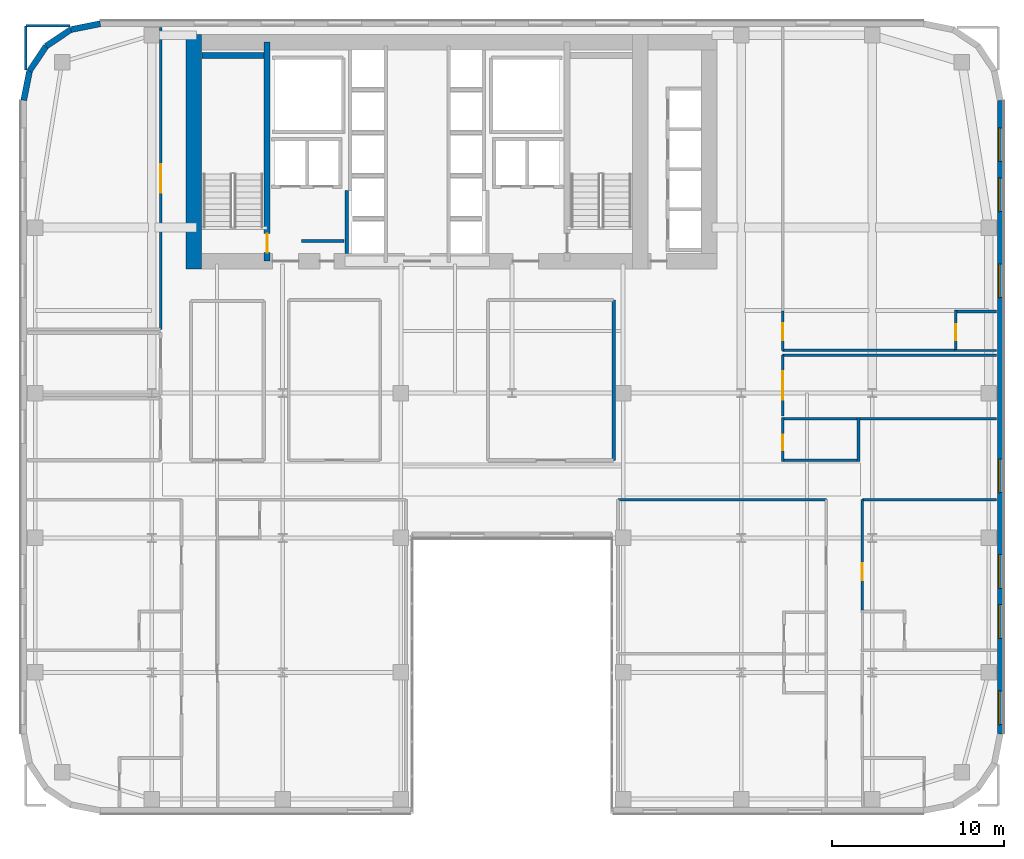
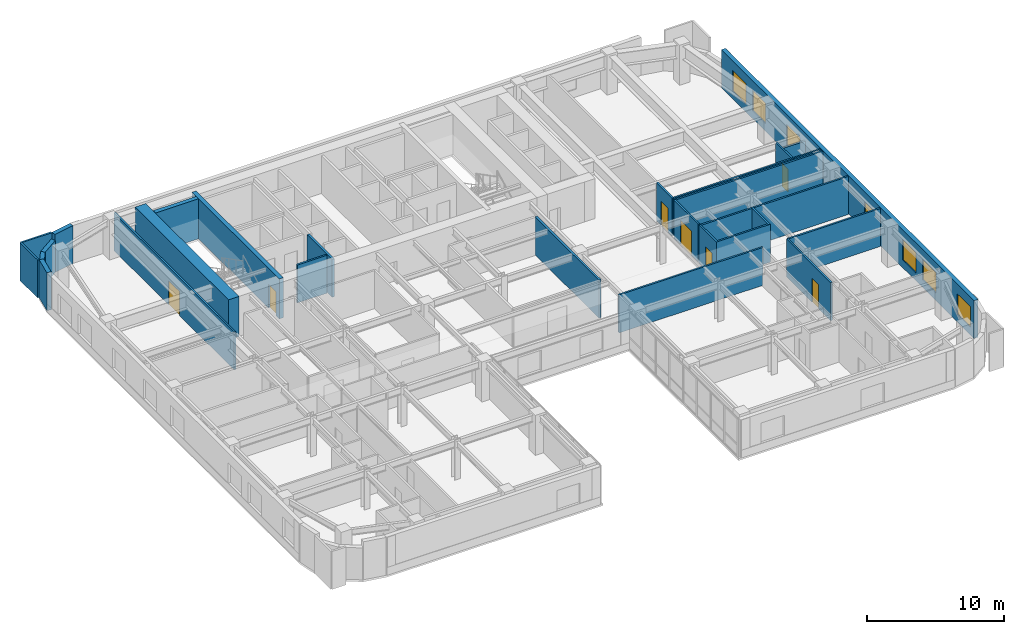
# One storey, part 16 of 24: 28 walls, 7 doors, 7 windows, 14 openings.
"""IFC4 building model written with IfcOpenShell, lengths in metres."""

import ifcopenshell
import ifcopenshell.guid

model = None  # the IFC model being written
_history = None  # IfcOwnerHistory: only IFC2X3 demands one
_inside = {}  # id of a spatial element -> (the spatial element, [elements in it])
_under = {}  # id of a project, library or spatial element -> (it, [spatial elements below it])
_declared = {}  # id of a project -> (the project, [libraries it declares])
_typed = {}  # id of a type object -> (the type object, [elements of that type])
_made_of = {}  # id of a material, layer set ... -> (it, [elements and type objects made of it])


def new_model(schema):
    """Start an empty IFC model of exactly this schema.

    Asked for "IFC4X3", IfcOpenShell would pick the latest addendum, in which some entities
    have other attributes; the version numbers below select the first issue.
    IFC2X3 requires an IfcOwnerHistory on every rooted entity: one is made here for all.
    """
    global model, _history
    if schema == "IFC4X3":
        model = ifcopenshell.file(schema_version=(4, 3, 0, 0))
    else:
        model = ifcopenshell.file(schema=schema)
    _inside.clear()
    _under.clear()
    _declared.clear()
    _typed.clear()
    _made_of.clear()
    _history = None
    if model.schema == "IFC2X3":
        org = make("IfcOrganization", Name="unknown")
        user = make(
            "IfcPersonAndOrganization",
            ThePerson=make("IfcPerson", FamilyName="unknown"),
            TheOrganization=org,
        )
        app = make(
            "IfcApplication",
            ApplicationDeveloper=org,
            Version="unknown",
            ApplicationFullName="unknown",
            ApplicationIdentifier="unknown",
        )
        _history = make(
            "IfcOwnerHistory",
            OwningUser=user,
            OwningApplication=app,
            ChangeAction="ADDED",
            CreationDate=0,
        )
    return model


def make(cls, **values):
    """One entity of the class cls with the attributes given. An attribute that is None is left unset."""
    return model.create_entity(
        cls, **{name: value for name, value in values.items() if value is not None}
    )


def rooted(cls, **values):
    """An entity with a GlobalId (a new one), such as an element, a storey or a relation."""
    return make(cls, GlobalId=ifcopenshell.guid.new(), OwnerHistory=_history, **values)


def si_unit(unit_type, name, prefix=None):
    """IfcSIUnit, for example si_unit("LENGTHUNIT", "METRE", prefix="MILLI")."""
    return make("IfcSIUnit", UnitType=unit_type, Prefix=prefix, Name=name)


def assignment(units):
    """IfcUnitAssignment: the units of a project."""
    return None if units is None else make("IfcUnitAssignment", Units=units)


def point(xyz):
    """IfcCartesianPoint."""
    return None if xyz is None else make("IfcCartesianPoint", Coordinates=xyz)


def direction(xyz):
    """IfcDirection."""
    return None if xyz is None else make("IfcDirection", DirectionRatios=xyz)


def frame(location, z_axis=None, x_axis=None):
    """IfcAxis2Placement3D, a coordinate frame: its origin and axes. An axis left out is left unset."""
    return make(
        "IfcAxis2Placement3D",
        Location=point(location),
        Axis=direction(z_axis),
        RefDirection=direction(x_axis),
    )


def frame_2d(location, x_axis=None):
    """IfcAxis2Placement2D, a coordinate frame in the plane: its origin and x axis."""
    return make(
        "IfcAxis2Placement2D", Location=point(location), RefDirection=direction(x_axis)
    )


def origin():
    """The frame at (0, 0, 0) with its axes left unset."""
    return frame((0.0, 0.0, 0.0))


def place(relative_to, where):
    """IfcLocalPlacement: puts the frame where relative to a parent placement (None: the world)."""
    return make(
        "IfcLocalPlacement", PlacementRelTo=relative_to, RelativePlacement=where
    )


def context(
    kind, dimensions, precision=None, world=None, true_north=None, identifier=None
):
    """IfcGeometricRepresentationContext, for example the 3D "Model" context."""
    return make(
        "IfcGeometricRepresentationContext",
        ContextIdentifier=identifier,
        ContextType=kind,
        CoordinateSpaceDimension=dimensions,
        Precision=precision,
        WorldCoordinateSystem=world,
        TrueNorth=true_north,
    )


def subcontext(parent, identifier, kind, view, scale=None):
    """IfcGeometricRepresentationSubContext, for example "Body" below "Model"."""
    return make(
        "IfcGeometricRepresentationSubContext",
        ContextIdentifier=identifier,
        ContextType=kind,
        ParentContext=parent,
        TargetScale=scale,
        TargetView=view,
    )


def project(units=None, contexts=None):
    """IfcProject with its units and contexts."""
    return rooted(
        "IfcProject",
        Name="project",
        RepresentationContexts=contexts,
        UnitsInContext=assignment(units),
    )


def spatial(cls, under=None, at=None, **own):
    """A site, building, storey or space (cls), placed at a placement, below another one or the project."""
    s = rooted(cls, ObjectPlacement=at, **own)
    if under is not None:
        _under.setdefault(under.id(), (under, []))[1].append(s)
    return s


def profile(cls, at=None, kind="AREA", **sizes):
    """A parametric profile (cls). Its sizes go by their IFC names, for example OverallWidth=200.0."""
    return make(cls, ProfileType=kind, Position=at, **sizes)


def rectangle(**sizes):
    """IfcRectangleProfileDef."""
    return profile("IfcRectangleProfileDef", **sizes)


def extrude(swept, where, along, depth):
    """IfcExtrudedAreaSolid: the profile swept, set in the frame where, extruded along a direction by depth."""
    return make(
        "IfcExtrudedAreaSolid",
        SweptArea=swept,
        Position=where,
        ExtrudedDirection=direction(along),
        Depth=depth,
    )


def shape(context_of_items, identifier, shape_type, items):
    """IfcShapeRepresentation: the items that make up one representation, for example the "Body"."""
    return make(
        "IfcShapeRepresentation",
        ContextOfItems=context_of_items,
        RepresentationIdentifier=identifier,
        RepresentationType=shape_type,
        Items=items,
    )


def source(mapping_origin, context_of_items, identifier, shape_type, items):
    """IfcRepresentationMap: a shape defined once, which mapped items show again and again."""
    return make(
        "IfcRepresentationMap",
        MappingOrigin=mapping_origin,
        MappedRepresentation=shape(context_of_items, identifier, shape_type, items),
    )


def transform(
    local_origin,
    x_axis=None,
    y_axis=None,
    z_axis=None,
    scale=None,
    scale2=None,
    scale3=None,
    uniform=True,
):
    """IfcCartesianTransformationOperator3D, or its non-uniform kind. x_axis, y_axis, z_axis: its Axis1, 2, 3."""
    if uniform:
        return make(
            "IfcCartesianTransformationOperator3D",
            Axis1=direction(x_axis),
            Axis2=direction(y_axis),
            LocalOrigin=point(local_origin),
            Scale=scale,
            Axis3=direction(z_axis),
        )
    return make(
        "IfcCartesianTransformationOperator3DnonUniform",
        Axis1=direction(x_axis),
        Axis2=direction(y_axis),
        LocalOrigin=point(local_origin),
        Scale=scale,
        Axis3=direction(z_axis),
        Scale2=scale2,
        Scale3=scale3,
    )


def mapped(mapping_source, mapping_target):
    """IfcMappedItem: shows the shape of a source again, moved by a transform."""
    return make(
        "IfcMappedItem", MappingSource=mapping_source, MappingTarget=mapping_target
    )


def material(Name=None, Category=None):
    """IfcMaterial."""
    return make("IfcMaterial", Name=Name, Category=Category)


def layer(
    of_material, thickness, ventilated=None, Name=None, Category=None, Priority=None
):
    """IfcMaterialLayer: one layer of a wall or slab, of a material (None: an air gap)."""
    return make(
        "IfcMaterialLayer",
        Material=of_material,
        LayerThickness=thickness,
        IsVentilated=ventilated,
        Name=Name,
        Category=Category,
        Priority=Priority,
    )


def layer_set(layers, Name=None):
    """IfcMaterialLayerSet."""
    return make("IfcMaterialLayerSet", MaterialLayers=layers, LayerSetName=Name)


def made_of(thing, what):
    """Note that an element or type object is made of a material, layer set ...; save() writes the relation."""
    if what is not None:
        _made_of.setdefault(what.id(), (what, []))[1].append(thing)
    return thing


def type_object(cls, material=None, **own):
    """A type object (cls), such as IfcWallType, which elements share."""
    return made_of(rooted(cls, **own), material)


def type_shapes(of_type, sources):
    """Give a type object the sources (RepresentationMaps) that its elements show as mapped items."""
    of_type.RepresentationMaps = sources


def element(
    cls,
    number,
    at=None,
    inside=None,
    cuts=None,
    type_object=None,
    material=None,
    context=None,
    identifier="Body",
    shape_type=None,
    held_by="IfcProductDefinitionShape",
    body=None,
    shapes=None,
    **own,
):
    """One element of the class cls, such as IfcWall. Its Tag is "e" and its number.

    at: its placement. inside: the storey or other place that contains it. cuts: it is an
    opening in that element (IfcRelVoidsElement). A single representation is given by context,
    identifier, shape_type and body (its items); several are given by shapes. held_by: the class
    of the entity that holds the representations. save() writes the other relations.
    """
    e = rooted(cls, Tag="e%d" % number, ObjectPlacement=at, **own)
    if body is not None:
        shapes = [shape(context, identifier, shape_type, body)]
    if shapes is not None:
        e.Representation = make(held_by, Representations=shapes)
    if inside is not None:
        _inside.setdefault(inside.id(), (inside, []))[1].append(e)
    if cuts is not None:
        rooted(
            "IfcRelVoidsElement", RelatingBuildingElement=cuts, RelatedOpeningElement=e
        )
    if type_object is not None:
        _typed.setdefault(type_object.id(), (type_object, []))[1].append(e)
    return made_of(e, material)


def fill(opening, filler):
    """IfcRelFillsElement: the door or window that sits in an opening."""
    return rooted(
        "IfcRelFillsElement",
        RelatingOpeningElement=opening,
        RelatedBuildingElement=filler,
    )


def aggregate(whole, parts):
    """IfcRelAggregates: a whole, such as a stair, and the parts it consists of."""
    return rooted("IfcRelAggregates", RelatingObject=whole, RelatedObjects=parts)


def save(model, path):
    """Write the relations noted so far, then the file.

    IfcRelAggregates (storeys below a building ...), IfcRelContainedInSpatialStructure (elements
    in a storey), IfcRelDefinesByType, IfcRelAssociatesMaterial and IfcRelDeclares: one each for
    every whole, place, type object, material and project.
    """
    for whole, parts in _under.values():
        aggregate(whole, parts)
    for where, things in _inside.values():
        rooted(
            "IfcRelContainedInSpatialStructure",
            RelatedElements=things,
            RelatingStructure=where,
        )
    for kind, things in _typed.values():
        rooted("IfcRelDefinesByType", RelatedObjects=things, RelatingType=kind)
    for what, things in _made_of.values():
        rooted("IfcRelAssociatesMaterial", RelatedObjects=things, RelatingMaterial=what)
    for by, libraries in _declared.values():
        rooted("IfcRelDeclares", RelatingContext=by, RelatedDefinitions=libraries)
    model.write(path)


model = new_model("IFC4")

# Units and contexts
model_context = context("Model", 3, precision=1e-05, world=origin(), true_north=direction((0.0, 1.0)))
body_context = subcontext(model_context, "Body", "Model", "MODEL_VIEW")
ifc_project = project(units=[si_unit("LENGTHUNIT", "METRE"), si_unit("AREAUNIT", "SQUARE_METRE"), si_unit("VOLUMEUNIT", "CUBIC_METRE"), si_unit("PLANEANGLEUNIT", "RADIAN"), si_unit("MASSUNIT", "GRAM", prefix="KILO")], contexts=[model_context])

# Site, building, storey
site_placement = place(None, origin())
site = spatial("IfcSite", under=ifc_project, at=site_placement, CompositionType="ELEMENT")
building_placement = place(site_placement, origin())
building = spatial("IfcBuilding", under=site, at=building_placement, Name="Tolvann Quenvar Hotel", CompositionType="ELEMENT")
storey_placement = place(building_placement, frame((0.0, 0.0, 88.800048828125)))
storey = spatial("IfcBuildingStorey", under=building, at=storey_placement, Name="L22", CompositionType="ELEMENT", Elevation=88.800048828125)

# Wall
ifc_material_1 = material(Name="Concrete S80 (80 MPa)", Category="concrete")
ifc_layer_1 = layer(ifc_material_1, 0.89990234375)
ifc_layer_set_1 = layer_set([ifc_layer_1], Name="Concrete S80 (80 MPa)")
wall_type_1 = type_object("IfcWallType", Name="WALL_CORE_900", PredefinedType="SHEAR", material=ifc_layer_set_1)
wall_1_placement = place(storey_placement, frame((10.050048828125, 31.60009765625, 0.0), z_axis=(0.0, 0.0, 1.0), x_axis=(0.0, 1.0, 0.0)))
element("IfcWall", 1, at=wall_1_placement, inside=storey, type_object=wall_type_1, Name="Rear Core W Shear Wall (L22)", PredefinedType="SHEAR", context=body_context, shape_type="SweptSolid", body=[
    extrude(rectangle(XDim=13.599853515625, YDim=0.89990234375, at=frame_2d((6.7998046875, 0.0))), origin(), (0.0, 0.0, 1.0), 3.550048828125),
])

# Wall, opening, door
ifc_material_2 = material(Name="Concrete S65 (65 MPa)", Category="concrete")
ifc_layer_2 = layer(ifc_material_2, 0.35009765625)
ifc_layer_set_2 = layer_set([ifc_layer_2], Name="Concrete S65 (65 MPa)")
wall_type_2 = type_object("IfcWallType", Name="WALL_CORE_INT_350", PredefinedType="SHEAR", material=ifc_layer_set_2)
wall_2_placement = place(storey_placement, frame((14.300048828125, 32.050048828125, 0.0), z_axis=(0.0, 0.0, 1.0), x_axis=(0.0, 1.0, 0.0)))
wall_2 = element("IfcWall", 2, at=wall_2_placement, inside=storey, type_object=wall_type_2, Name="Core Internal Web Shear Wall WEB-W (L22)", PredefinedType="SHEAR", context=body_context, shape_type="SweptSolid", body=[
    extrude(rectangle(XDim=12.699951171875, YDim=0.35009765625, at=frame_2d((6.35009765625, 0.0))), origin(), (0.0, 0.0, 1.0), 3.550048828125),
])
opening_1_placement = place(wall_2_placement, frame((0.5, 0.0, 0.0)))
opening_1 = element("IfcOpeningElement", 3, at=opening_1_placement, cuts=wall_2, Name="Opening FD-120", PredefinedType="OPENING", context=body_context, shape_type="SweptSolid", body=[
    extrude(rectangle(XDim=1.10009765625, YDim=2.1201171875, at=frame_2d((0.550048828125, 1.06005859375))), frame((0.0, 0.18505859375, 0.0), z_axis=(0.0, -1.0, 0.0), x_axis=(1.0, 0.0, 0.0)), (0.0, 0.0, 1.0), 0.3701171875),
])
ifc_material_3 = material(Name="Pressed galvanised steel fire-rated door set", Category="steel")
door_type_1 = type_object("IfcDoorType", Name="DOOR_FIRE_STAIR_1100", OperationType="NOTDEFINED", PredefinedType="DOOR", material=ifc_material_3)
shared_shape_1 = source(origin(), body_context, "Body", "SweptSolid", [
    extrude(rectangle(XDim=1.10009765625, YDim=2.1201171875, at=frame_2d((0.550048828125, 1.06005859375))), frame((0.0, 0.02490234375, 0.0), z_axis=(0.0, -1.0, 0.0), x_axis=(1.0, 0.0, 0.0)), (0.0, 0.0, 1.0), 0.050048828125),
])
type_shapes(door_type_1, [shared_shape_1])
door_1_placement = place(opening_1_placement, origin())
door_1 = element("IfcDoor", 4, at=door_1_placement, inside=storey, type_object=door_type_1, Name="Exit Stair ST-C1 Fire Door (L22)", OperationType="SINGLE_SWING_RIGHT", OverallHeight=2.1201171875, OverallWidth=1.10009765625, PredefinedType="DOOR", context=body_context, shape_type="MappedRepresentation", body=[
    mapped(shared_shape_1, transform((0.0, 0.0, 0.0), x_axis=(1.0, 0.0, 0.0), y_axis=(0.0, 1.0, 0.0), z_axis=(0.0, 0.0, 1.0), scale=1.0)),
])
fill(opening_1, door_1)

# Wall
wall_3_placement = place(storey_placement, frame((10.52001953125, 43.97509765625, 0.0), z_axis=(0.0, 0.0, 1.0), x_axis=(1.0, 0.0, 0.0)))
element("IfcWall", 5, at=wall_3_placement, inside=storey, type_object=wall_type_2, Name="Core Stair North Closing Shear Wall STC1-N (L22)", PredefinedType="SHEAR", context=body_context, shape_type="SweptSolid", body=[
    extrude(rectangle(XDim=3.60009765625, YDim=0.35009765625, at=frame_2d((1.800048828125, 0.0))), origin(), (0.0, 0.0, 1.0), 3.550048828125),
])

# Wall, openings, windows
ifc_material_4 = material(Name="Kiln-fired red and buff architectural clay brickwork and terracotta masonry", Category="masonry")
ifc_layer_3 = layer(ifc_material_4, 0.35009765625)
ifc_layer_set_3 = layer_set([ifc_layer_3], Name="Kiln-fired red and buff architectural clay brickwork and terracotta masonry")
wall_type_3 = type_object("IfcWallType", Name="WALL_EXT_BRICK_350", PredefinedType="SOLIDWALL", material=ifc_layer_set_3)
wall_4_placement = place(storey_placement, frame((56.824951171875, 4.6171875, 0.0), z_axis=(0.0, 0.0, 1.0), x_axis=(0.0, 1.0, 0.0)))
wall_4 = element("IfcWall", 6, at=wall_4_placement, inside=storey, type_object=wall_type_3, Name="Exterior Chicago Brick Wall L22-E13", PredefinedType="SOLIDWALL", context=body_context, shape_type="SweptSolid", body=[
    extrude(rectangle(XDim=36.765625, YDim=0.35009765625, at=frame_2d((18.3828125, 0.0))), origin(), (0.0, 0.0, 1.0), 3.369873046875),
])
opening_2_placement = place(wall_4_placement, frame((0.551025390625, 0.0, 0.679931640625)))
opening_2 = element("IfcOpeningElement", 7, at=opening_2_placement, cuts=wall_4, Name="Opening W-10", PredefinedType="OPENING", context=body_context, shape_type="SweptSolid", body=[
    extrude(rectangle(XDim=1.949951171875, YDim=1.820068359375, at=frame_2d((0.97509765625, 0.91015625))), frame((0.0, 0.18505859375, 0.0), z_axis=(0.0, -1.0, 0.0), x_axis=(1.0, 0.0, 0.0)), (0.0, 0.0, 1.0), 0.3701171875),
])
opening_3_placement = place(wall_4_placement, frame((5.552978515625, 0.0, 0.679931640625)))
opening_3 = element("IfcOpeningElement", 8, at=opening_3_placement, cuts=wall_4, Name="Opening W-10", PredefinedType="OPENING", context=body_context, shape_type="SweptSolid", body=[
    extrude(rectangle(XDim=1.949951171875, YDim=1.820068359375, at=frame_2d((0.97509765625, 0.91015625))), frame((0.0, 0.18505859375, 0.0), z_axis=(0.0, -1.0, 0.0), x_axis=(1.0, 0.0, 0.0)), (0.0, 0.0, 1.0), 0.3701171875),
])
opening_4_placement = place(wall_4_placement, frame((8.4541015625, 0.0, 0.679931640625)))
opening_4 = element("IfcOpeningElement", 9, at=opening_4_placement, cuts=wall_4, Name="Opening W-10", PredefinedType="OPENING", context=body_context, shape_type="SweptSolid", body=[
    extrude(rectangle(XDim=1.949951171875, YDim=1.820068359375, at=frame_2d((0.97509765625, 0.91015625))), frame((0.0, 0.18505859375, 0.0), z_axis=(0.0, -1.0, 0.0), x_axis=(1.0, 0.0, 0.0)), (0.0, 0.0, 1.0), 0.3701171875),
])
opening_5_placement = place(wall_4_placement, frame((14.006103515625, 0.0, 0.679931640625)))
opening_5 = element("IfcOpeningElement", 10, at=opening_5_placement, cuts=wall_4, Name="Opening W-10", PredefinedType="OPENING", context=body_context, shape_type="SweptSolid", body=[
    extrude(rectangle(XDim=1.949951171875, YDim=1.820068359375, at=frame_2d((0.97509765625, 0.91015625))), frame((0.0, 0.18505859375, 0.0), z_axis=(0.0, -1.0, 0.0), x_axis=(1.0, 0.0, 0.0)), (0.0, 0.0, 1.0), 0.3701171875),
])
opening_6_placement = place(wall_4_placement, frame((25.31103515625, 0.0, 0.679931640625)))
opening_6 = element("IfcOpeningElement", 11, at=opening_6_placement, cuts=wall_4, Name="Opening W-10", PredefinedType="OPENING", context=body_context, shape_type="SweptSolid", body=[
    extrude(rectangle(XDim=1.949951171875, YDim=1.820068359375, at=frame_2d((0.97509765625, 0.91015625))), frame((0.0, 0.18505859375, 0.0), z_axis=(0.0, -1.0, 0.0), x_axis=(1.0, 0.0, 0.0)), (0.0, 0.0, 1.0), 0.3701171875),
])
opening_7_placement = place(wall_4_placement, frame((30.31298828125, 0.0, 0.679931640625)))
opening_7 = element("IfcOpeningElement", 12, at=opening_7_placement, cuts=wall_4, Name="Opening W-10", PredefinedType="OPENING", context=body_context, shape_type="SweptSolid", body=[
    extrude(rectangle(XDim=1.949951171875, YDim=1.820068359375, at=frame_2d((0.97509765625, 0.91015625))), frame((0.0, 0.18505859375, 0.0), z_axis=(0.0, -1.0, 0.0), x_axis=(1.0, 0.0, 0.0)), (0.0, 0.0, 1.0), 0.3701171875),
])
opening_8_placement = place(wall_4_placement, frame((33.215087890625, 0.0, 0.679931640625)))
opening_8 = element("IfcOpeningElement", 13, at=opening_8_placement, cuts=wall_4, Name="Opening W-10", PredefinedType="OPENING", context=body_context, shape_type="SweptSolid", body=[
    extrude(rectangle(XDim=1.949951171875, YDim=1.820068359375, at=frame_2d((0.97509765625, 0.91015625))), frame((0.0, 0.18505859375, 0.0), z_axis=(0.0, -1.0, 0.0), x_axis=(1.0, 0.0, 0.0)), (0.0, 0.0, 1.0), 0.3701171875),
])
ifc_material_5 = material(Name="Thermally broken bronze-anodised aluminium frame with double low-E glazing", Category="aluminium")
window_type = type_object("IfcWindowType", Name="WIN_CLB_1950x1850", PartitioningType="DOUBLE_PANEL_VERTICAL", PredefinedType="WINDOW", material=ifc_material_5)
shared_shape_2 = source(origin(), body_context, "Body", "SweptSolid", [
    extrude(rectangle(XDim=1.949951171875, YDim=1.820068359375, at=frame_2d((0.97509765625, 0.91015625))), frame((0.0, 0.090087890625, 0.0), z_axis=(0.0, -1.0, 0.0), x_axis=(1.0, 0.0, 0.0)), (0.0, 0.0, 1.0), 0.06005859375),
])
type_shapes(window_type, [shared_shape_2])
window_1_placement = place(opening_2_placement, origin())
window_1 = element("IfcWindow", 14, at=window_1_placement, inside=storey, type_object=window_type, Name="Chicago Window W-10 (EW-L22-E13-W01)", OverallHeight=1.820068359375, OverallWidth=1.949951171875, PartitioningType="DOUBLE_PANEL_VERTICAL", PredefinedType="WINDOW", context=body_context, shape_type="MappedRepresentation", body=[
    mapped(shared_shape_2, transform((0.0, 0.0, 0.0), x_axis=(1.0, 0.0, 0.0), y_axis=(0.0, 1.0, 0.0), z_axis=(0.0, 0.0, 1.0), scale=1.0)),
])
fill(opening_2, window_1)
window_2_placement = place(opening_3_placement, origin())
window_2 = element("IfcWindow", 15, at=window_2_placement, inside=storey, type_object=window_type, Name="Chicago Window W-10 (EW-L22-E13-W02)", OverallHeight=1.820068359375, OverallWidth=1.949951171875, PartitioningType="DOUBLE_PANEL_VERTICAL", PredefinedType="WINDOW", context=body_context, shape_type="MappedRepresentation", body=[
    mapped(shared_shape_2, transform((0.0, 0.0, 0.0), x_axis=(1.0, 0.0, 0.0), y_axis=(0.0, 1.0, 0.0), z_axis=(0.0, 0.0, 1.0), scale=1.0)),
])
fill(opening_3, window_2)
window_3_placement = place(opening_4_placement, origin())
window_3 = element("IfcWindow", 16, at=window_3_placement, inside=storey, type_object=window_type, Name="Chicago Window W-10 (EW-L22-E13-W03)", OverallHeight=1.820068359375, OverallWidth=1.949951171875, PartitioningType="DOUBLE_PANEL_VERTICAL", PredefinedType="WINDOW", context=body_context, shape_type="MappedRepresentation", body=[
    mapped(shared_shape_2, transform((0.0, 0.0, 0.0), x_axis=(1.0, 0.0, 0.0), y_axis=(0.0, 1.0, 0.0), z_axis=(0.0, 0.0, 1.0), scale=1.0)),
])
fill(opening_4, window_3)
window_4_placement = place(opening_5_placement, origin())
window_4 = element("IfcWindow", 17, at=window_4_placement, inside=storey, type_object=window_type, Name="Chicago Window W-10 (EW-L22-E13-W04)", OverallHeight=1.820068359375, OverallWidth=1.949951171875, PartitioningType="DOUBLE_PANEL_VERTICAL", PredefinedType="WINDOW", context=body_context, shape_type="MappedRepresentation", body=[
    mapped(shared_shape_2, transform((0.0, 0.0, 0.0), x_axis=(1.0, 0.0, 0.0), y_axis=(0.0, 1.0, 0.0), z_axis=(0.0, 0.0, 1.0), scale=1.0)),
])
fill(opening_5, window_4)
window_5_placement = place(opening_6_placement, origin())
window_5 = element("IfcWindow", 18, at=window_5_placement, inside=storey, type_object=window_type, Name="Chicago Window W-10 (EW-L22-E13-W05)", OverallHeight=1.820068359375, OverallWidth=1.949951171875, PartitioningType="DOUBLE_PANEL_VERTICAL", PredefinedType="WINDOW", context=body_context, shape_type="MappedRepresentation", body=[
    mapped(shared_shape_2, transform((0.0, 0.0, 0.0), x_axis=(1.0, 0.0, 0.0), y_axis=(0.0, 1.0, 0.0), z_axis=(0.0, 0.0, 1.0), scale=1.0)),
])
fill(opening_6, window_5)
window_6_placement = place(opening_7_placement, origin())
window_6 = element("IfcWindow", 19, at=window_6_placement, inside=storey, type_object=window_type, Name="Chicago Window W-10 (EW-L22-E13-W06)", OverallHeight=1.820068359375, OverallWidth=1.949951171875, PartitioningType="DOUBLE_PANEL_VERTICAL", PredefinedType="WINDOW", context=body_context, shape_type="MappedRepresentation", body=[
    mapped(shared_shape_2, transform((0.0, 0.0, 0.0), x_axis=(1.0, 0.0, 0.0), y_axis=(0.0, 1.0, 0.0), z_axis=(0.0, 0.0, 1.0), scale=1.0)),
])
fill(opening_7, window_6)
window_7_placement = place(opening_8_placement, origin())
window_7 = element("IfcWindow", 20, at=window_7_placement, inside=storey, type_object=window_type, Name="Chicago Window W-10 (EW-L22-E13-W07)", OverallHeight=1.820068359375, OverallWidth=1.949951171875, PartitioningType="DOUBLE_PANEL_VERTICAL", PredefinedType="WINDOW", context=body_context, shape_type="MappedRepresentation", body=[
    mapped(shared_shape_2, transform((0.0, 0.0, 0.0), x_axis=(1.0, 0.0, 0.0), y_axis=(0.0, 1.0, 0.0), z_axis=(0.0, 0.0, 1.0), scale=1.0)),
])
fill(opening_8, window_7)

# Walls
wall_5_placement = place(storey_placement, frame((4.6171875, 45.824951171875, 0.0), z_axis=(0.0, 0.0, 1.0), x_axis=(-0.980800971659, -0.195011420161, 0.0)))
element("IfcWall", 21, at=wall_5_placement, inside=storey, type_object=wall_type_3, Name="Exterior Chicago Brick Wall L22-E19", PredefinedType="SOLIDWALL", context=body_context, shape_type="SweptSolid", body=[
    extrude(rectangle(XDim=1.74267578125, YDim=0.35009765625, at=frame_2d((0.871337890625, 0.0))), origin(), (0.0, 0.0, 1.0), 3.369873046875),
])
for number, where, z_axis, x_axis, name in (
    (22, (2.907958984375, 45.485107421875, 0.0), (0.0, 0.0, 1.0), (-0.831483840845, -0.55554893791, 0.0), "Exterior Chicago Brick Wall L22-E20"),
    (23, (1.473388671875, 44.526611328125, 0.0), (0.0, 0.0, 1.0), (-0.55554893791, -0.831483840845, 0.0), "Exterior Chicago Brick Wall L22-E21"),
):
    element("IfcWall", number, at=place(storey_placement, frame(where, z_axis=z_axis, x_axis=x_axis)), inside=storey, type_object=wall_type_3, Name=name, PredefinedType="SOLIDWALL", context=body_context, shape_type="SweptSolid", body=[
        extrude(rectangle(XDim=1.725341796875, YDim=0.35009765625, at=frame_2d((0.86279296875, 0.0))), origin(), (0.0, 0.0, 1.0), 2.83203125),
    ])
wall_6_placement = place(storey_placement, frame((0.514892578125, 43.092041015625, 0.0), z_axis=(0.0, 0.0, 1.0), x_axis=(-0.195011420161, -0.980800971659, 0.0)))
element("IfcWall", 24, at=wall_6_placement, inside=storey, type_object=wall_type_3, Name="Exterior Chicago Brick Wall L22-E22", PredefinedType="SOLIDWALL", context=body_context, shape_type="SweptSolid", body=[
    extrude(rectangle(XDim=1.74267578125, YDim=0.35009765625, at=frame_2d((0.871337890625, 0.0))), origin(), (0.0, 0.0, 1.0), 3.369873046875),
])
ifc_material_6 = material(Name="Acoustic twin-stud fire-rated gypsum plasterboard partition")
ifc_layer_4 = layer(ifc_material_6, 0.179931640625)
ifc_layer_set_4 = layer_set([ifc_layer_4], Name="Acoustic twin-stud fire-rated gypsum plasterboard partition")
wall_type_4 = type_object("IfcWallType", Name="WALL_PART_ACOUSTIC_180", PredefinedType="PARTITIONING", material=ifc_layer_set_4)
wall_7_placement = place(storey_placement, frame((34.39990234375, 20.5, 0.0), z_axis=(0.0, 0.0, 1.0), x_axis=(0.0, 1.0, 0.0)))
element("IfcWall", 25, at=wall_7_placement, inside=storey, type_object=wall_type_4, Name="Interior Partition PT-SPC-L22-MSP-C-E", PredefinedType="PARTITIONING", context=body_context, shape_type="SweptSolid", body=[
    extrude(rectangle(XDim=9.300048828125, YDim=0.179931640625, at=frame_2d((4.64990234375, 0.0))), origin(), (0.0, 0.0, 1.0), 3.369873046875),
])
ifc_material_7 = material(Name="Moisture-resistant acoustic plumbing wall assembly")
ifc_layer_5 = layer(ifc_material_7, 0.1201171875)
ifc_layer_set_5 = layer_set([ifc_layer_5], Name="Moisture-resistant acoustic plumbing wall assembly")
wall_type_5 = type_object("IfcWallType", Name="WALL_PART_BATH_120", PredefinedType="PLUMBINGWALL", material=ifc_layer_set_5)
wall_8_placement = place(storey_placement, frame((54.179931640625, 26.8798828125, 0.0), z_axis=(0.0, 0.0, 1.0), x_axis=(1.0, 0.0, 0.0)))
element("IfcWall", 26, at=wall_8_placement, inside=storey, type_object=wall_type_5, Name="Non-Rated Plumbing Partition PT-SPC-L22-ENS-NE01-S", PredefinedType="PLUMBINGWALL", context=body_context, shape_type="SweptSolid", body=[
    extrude(rectangle(XDim=2.4150390625, YDim=0.1201171875, at=frame_2d((1.20751953125, 0.0))), origin(), (0.0, 0.0, 1.0), 3.369873046875),
])

# Wall, opening, door
ifc_layer_6 = layer(ifc_material_6, 0.14990234375)
ifc_layer_set_6 = layer_set([ifc_layer_6], Name="Acoustic twin-stud fire-rated gypsum plasterboard partition")
wall_type_6 = type_object("IfcWallType", Name="WALL_PART_SUITE_150", PredefinedType="PARTITIONING", material=ifc_layer_set_6)
wall_9_placement = place(storey_placement, frame((54.25, 26.81005859375, 0.0), z_axis=(0.0, 0.0, 1.0), x_axis=(0.0, 1.0, 0.0)))
wall_9 = element("IfcWall", 27, at=wall_9_placement, inside=storey, type_object=wall_type_6, Name="Interior Partition PT-SPC-L22-ENS-NE01-ENT", PredefinedType="PARTITIONING", context=body_context, shape_type="SweptSolid", body=[
    extrude(rectangle(XDim=2.389892578125, YDim=0.14990234375, at=frame_2d((1.19482421875, 0.0))), origin(), (0.0, 0.0, 1.0), 3.369873046875),
])
opening_9_placement = place(wall_9_placement, frame((0.6650390625, 0.0, 0.0)))
opening_9 = element("IfcOpeningElement", 28, at=opening_9_placement, cuts=wall_9, Name="Opening WD-01", PredefinedType="OPENING", context=body_context, shape_type="SweptSolid", body=[
    extrude(rectangle(XDim=0.919921875, YDim=2.010009765625, at=frame_2d((0.4599609375, 1.0048828125))), frame((0.0, 0.0849609375, 0.0), z_axis=(0.0, -1.0, 0.0), x_axis=(1.0, 0.0, 0.0)), (0.0, 0.0, 1.0), 0.169921875),
])
ifc_material_8 = material(Name="Solid-core American oak acoustic fire door leaf in steel frame", Category="steel")
door_type_2 = type_object("IfcDoorType", Name="DOOR_WC_920", OperationType="NOTDEFINED", PredefinedType="DOOR", material=ifc_material_8)
shared_shape_3 = source(origin(), body_context, "Body", "SweptSolid", [
    extrude(rectangle(XDim=0.919921875, YDim=2.010009765625, at=frame_2d((0.4599609375, 1.0048828125))), frame((0.0, 0.02490234375, 0.0), z_axis=(0.0, -1.0, 0.0), x_axis=(1.0, 0.0, 0.0)), (0.0, 0.0, 1.0), 0.050048828125),
])
type_shapes(door_type_2, [shared_shape_3])
door_2_placement = place(opening_9_placement, origin())
door_2 = element("IfcDoor", 29, at=door_2_placement, inside=storey, type_object=door_type_2, Name="Interior Door DOOR-SPC-L22-ENS-NE01", OperationType="SINGLE_SWING_LEFT", OverallHeight=2.010009765625, OverallWidth=0.919921875, PredefinedType="DOOR", context=body_context, shape_type="MappedRepresentation", body=[
    mapped(shared_shape_3, transform((0.0, 0.0, 0.0), x_axis=(1.0, 0.0, 0.0), y_axis=(0.0, 1.0, 0.0), z_axis=(0.0, 0.0, 1.0), scale=1.0)),
])
fill(opening_9, door_2)

# Walls
wall_10_placement = place(storey_placement, frame((54.179931640625, 29.1298828125, 0.0), z_axis=(0.0, 0.0, 1.0), x_axis=(1.0, 0.0, 0.0)))
element("IfcWall", 30, at=wall_10_placement, inside=storey, type_object=wall_type_6, Name="Interior Partition PT-SPC-L22-ENS-NE01-N", PredefinedType="PARTITIONING", context=body_context, shape_type="SweptSolid", body=[
    extrude(rectangle(XDim=2.4150390625, YDim=0.14990234375, at=frame_2d((1.20751953125, 0.0))), origin(), (0.0, 0.0, 1.0), 2.748046875),
])
wall_11_placement = place(storey_placement, frame((16.280029296875, 33.219970703125, 0.0), z_axis=(0.0, 0.0, 1.0), x_axis=(1.0, 0.0, 0.0)))
element("IfcWall", 31, at=wall_11_placement, inside=storey, type_object=wall_type_6, Name="Interior Partition PT-SPC-L22-CSW-1-N", PredefinedType="PARTITIONING", context=body_context, shape_type="SweptSolid", body=[
    extrude(rectangle(XDim=2.48486328125, YDim=0.14990234375, at=frame_2d((1.242431640625, 0.0))), origin(), (0.0, 0.0, 1.0), 3.369873046875),
])
wall_12_placement = place(storey_placement, frame((34.64990234375, 18.219970703125, 0.0), z_axis=(0.0, 0.0, 1.0), x_axis=(1.0, 0.0, 0.0)))
element("IfcWall", 32, at=wall_12_placement, inside=storey, type_object=wall_type_6, Name="Interior Partition PT-SPC-L22-RM-EI02-E5", PredefinedType="PARTITIONING", context=body_context, shape_type="SweptSolid", body=[
    extrude(rectangle(XDim=12.080078125, YDim=0.14990234375, at=frame_2d((6.0400390625, 0.0))), origin(), (0.0, 0.0, 1.0), 3.369873046875),
])

# Wall, opening, door
wall_13_placement = place(storey_placement, frame((48.820068359375, 11.81005859375, 0.0), z_axis=(0.0, 0.0, 1.0), x_axis=(0.0, 1.0, 0.0)))
wall_13 = element("IfcWall", 33, at=wall_13_placement, inside=storey, type_object=wall_type_6, Name="Interior Partition PT-SPC-L22-RM-EO02-ENT", PredefinedType="PARTITIONING", context=body_context, shape_type="SweptSolid", body=[
    extrude(rectangle(XDim=6.409912109375, YDim=0.14990234375, at=frame_2d((3.205078125, 0.0))), origin(), (0.0, 0.0, 1.0), 3.369873046875),
])
opening_10_placement = place(wall_13_placement, frame((1.7451171875, 0.0, 0.0)))
opening_10 = element("IfcOpeningElement", 34, at=opening_10_placement, cuts=wall_13, Name="Opening SD-01", PredefinedType="OPENING", context=body_context, shape_type="SweptSolid", body=[
    extrude(rectangle(XDim=0.97998046875, YDim=2.1201171875, at=frame_2d((0.489990234375, 1.06005859375))), frame((0.0, 0.0849609375, 0.0), z_axis=(0.0, -1.0, 0.0), x_axis=(1.0, 0.0, 0.0)), (0.0, 0.0, 1.0), 0.169921875),
])
door_type_3 = type_object("IfcDoorType", Name="DOOR_SUITE_980", OperationType="NOTDEFINED", PredefinedType="DOOR", material=ifc_material_8)
shared_shape_4 = source(origin(), body_context, "Body", "SweptSolid", [
    extrude(rectangle(XDim=0.97998046875, YDim=2.1201171875, at=frame_2d((0.489990234375, 1.06005859375))), frame((0.0, 0.02490234375, 0.0), z_axis=(0.0, -1.0, 0.0), x_axis=(1.0, 0.0, 0.0)), (0.0, 0.0, 1.0), 0.050048828125),
])
type_shapes(door_type_3, [shared_shape_4])
door_3_placement = place(opening_10_placement, origin())
door_3 = element("IfcDoor", 35, at=door_3_placement, inside=storey, type_object=door_type_3, Name="Interior Door DOOR-SPC-L22-RM-EO02", OperationType="SINGLE_SWING_RIGHT", OverallHeight=2.1201171875, OverallWidth=0.97998046875, PredefinedType="DOOR", context=body_context, shape_type="MappedRepresentation", body=[
    mapped(shared_shape_4, transform((0.0, 0.0, 0.0), x_axis=(1.0, 0.0, 0.0), y_axis=(0.0, 1.0, 0.0), z_axis=(0.0, 0.0, 1.0), scale=1.0)),
])
fill(opening_10, door_3)

# Walls
wall_14_placement = place(storey_placement, frame((48.820068359375, 18.219970703125, 0.0), z_axis=(0.0, 0.0, 1.0), x_axis=(1.0, 0.0, 0.0)))
element("IfcWall", 36, at=wall_14_placement, inside=storey, type_object=wall_type_6, Name="Interior Partition PT-SPC-L22-RM-EO02-E5", PredefinedType="PARTITIONING", context=body_context, shape_type="SweptSolid", body=[
    extrude(rectangle(XDim=7.77490234375, YDim=0.14990234375, at=frame_2d((3.887451171875, 0.0))), origin(), (0.0, 0.0, 1.0), 3.369873046875),
])
for number, where, z_axis, x_axis, name in (
    (37, (0.300048828125, 45.699951171875, 0.0), (0.0, 0.0, 1.0), (1.0, 0.0, 0.0), "Interior Partition PT-SPC-L22-TEA-N"),
    (38, (0.300048828125, 43.135009765625, 0.0), (0.0, 0.0, 1.0), (0.0, 1.0, 0.0), "Interior Partition PT-SPC-L22-TEA-W"),
):
    element("IfcWall", number, at=place(storey_placement, frame(where, z_axis=z_axis, x_axis=x_axis)), inside=storey, type_object=wall_type_6, Name=name, PredefinedType="PARTITIONING", context=body_context, shape_type="SweptSolid", body=[
        extrude(rectangle(XDim=2.56494140625, YDim=0.14990234375, at=frame_2d((1.282470703125, 0.0))), origin(), (0.0, 0.0, 1.0), 3.369873046875),
    ])

# Wall, opening, door
wall_15_placement = place(storey_placement, frame((8.1201171875, 28.10009765625, 0.0), z_axis=(0.0, 0.0, 1.0), x_axis=(0.0, 1.0, 0.0)))
wall_15 = element("IfcWall", 39, at=wall_15_placement, inside=storey, type_object=wall_type_6, Name="Interior Partition PT-SPC-L22-TEA-E", PredefinedType="PARTITIONING", context=body_context, shape_type="SweptSolid", body=[
    extrude(rectangle(XDim=17.494873046875, YDim=0.14990234375, at=frame_2d((8.74755859375, 0.0))), origin(), (0.0, 0.0, 1.0), 3.369873046875),
])
opening_11_placement = place(wall_15_placement, frame((7.922607421875, 0.0, 0.0)))
opening_11 = element("IfcOpeningElement", 40, at=opening_11_placement, cuts=wall_15, Name="Opening AD-01", PredefinedType="OPENING", context=body_context, shape_type="SweptSolid", body=[
    extrude(rectangle(XDim=1.64990234375, YDim=2.14990234375, at=frame_2d((0.824951171875, 1.074951171875))), frame((0.0, 0.0849609375, 0.0), z_axis=(0.0, -1.0, 0.0), x_axis=(1.0, 0.0, 0.0)), (0.0, 0.0, 1.0), 0.169921875),
])
door_type_4 = type_object("IfcDoorType", Name="DOOR_SALON_1650", OperationType="NOTDEFINED", PredefinedType="DOOR", material=ifc_material_8)
shared_shape_5 = source(origin(), body_context, "Body", "SweptSolid", [
    extrude(rectangle(XDim=1.64990234375, YDim=2.14990234375, at=frame_2d((0.824951171875, 1.074951171875))), frame((0.0, 0.02490234375, 0.0), z_axis=(0.0, -1.0, 0.0), x_axis=(1.0, 0.0, 0.0)), (0.0, 0.0, 1.0), 0.050048828125),
])
type_shapes(door_type_4, [shared_shape_5])
door_4_placement = place(opening_11_placement, origin())
door_4 = element("IfcDoor", 41, at=door_4_placement, inside=storey, type_object=door_type_4, Name="Interior Door DOOR-SPC-L22-TEA", OperationType="DOUBLE_DOOR_SINGLE_SWING", OverallHeight=2.14990234375, OverallWidth=1.64990234375, PredefinedType="DOOR", context=body_context, shape_type="MappedRepresentation", body=[
    mapped(shared_shape_5, transform((0.0, 0.0, 0.0), x_axis=(1.0, 0.0, 0.0), y_axis=(0.0, 1.0, 0.0), z_axis=(0.0, 0.0, 1.0), scale=1.0)),
])
fill(opening_11, door_4)

wall_16_placement = place(storey_placement, frame((44.199951171875, 20.429931640625, 0.0), z_axis=(0.0, 0.0, 1.0), x_axis=(0.0, 1.0, 0.0)))
wall_16 = element("IfcWall", 42, at=wall_16_placement, inside=storey, type_object=wall_type_6, Name="Interior Partition PT-SPC-L22-WCA-ENT", PredefinedType="PARTITIONING", context=body_context, shape_type="SweptSolid", body=[
    extrude(rectangle(XDim=2.5400390625, YDim=0.14990234375, at=frame_2d((1.27001953125, 0.0))), origin(), (0.0, 0.0, 1.0), 3.369873046875),
])
opening_12_placement = place(wall_16_placement, frame((0.639892578125, 0.0, 0.0)))
opening_12 = element("IfcOpeningElement", 43, at=opening_12_placement, cuts=wall_16, Name="Opening WD-01", PredefinedType="OPENING", context=body_context, shape_type="SweptSolid", body=[
    extrude(rectangle(XDim=0.919921875, YDim=2.010009765625, at=frame_2d((0.4599609375, 1.0048828125))), frame((0.0, 0.0849609375, 0.0), z_axis=(0.0, -1.0, 0.0), x_axis=(1.0, 0.0, 0.0)), (0.0, 0.0, 1.0), 0.169921875),
])
door_5_placement = place(opening_12_placement, origin())
door_5 = element("IfcDoor", 44, at=door_5_placement, inside=storey, type_object=door_type_2, Name="Interior Door DOOR-SPC-L22-WCA", OperationType="SINGLE_SWING_LEFT", OverallHeight=2.010009765625, OverallWidth=0.919921875, PredefinedType="DOOR", context=body_context, shape_type="MappedRepresentation", body=[
    mapped(shared_shape_3, transform((0.0, 0.0, 0.0), x_axis=(1.0, 0.0, 0.0), y_axis=(0.0, 1.0, 0.0), z_axis=(0.0, 0.0, 1.0), scale=1.0)),
])
fill(opening_12, door_5)

# Walls
wall_17_placement = place(storey_placement, frame((44.1298828125, 20.5, 0.0), z_axis=(0.0, 0.0, 1.0), x_axis=(1.0, 0.0, 0.0)))
element("IfcWall", 45, at=wall_17_placement, inside=storey, type_object=wall_type_6, Name="Interior Partition PT-SPC-L22-WCA-S", PredefinedType="PARTITIONING", context=body_context, shape_type="SweptSolid", body=[
    extrude(rectangle(XDim=4.5400390625, YDim=0.14990234375, at=frame_2d((2.27001953125, 0.0))), origin(), (0.0, 0.0, 1.0), 3.369873046875),
])
wall_18_placement = place(storey_placement, frame((44.1298828125, 22.89990234375, 0.0), z_axis=(0.0, 0.0, 1.0), x_axis=(1.0, 0.0, 0.0)))
element("IfcWall", 46, at=wall_18_placement, inside=storey, type_object=wall_type_6, Name="Interior Partition PT-SPC-L22-WCA-N", PredefinedType="PARTITIONING", context=body_context, shape_type="SweptSolid", body=[
    extrude(rectangle(XDim=12.465087890625, YDim=0.14990234375, at=frame_2d((6.232421875, 0.0))), origin(), (0.0, 0.0, 1.0), 3.369873046875),
])
wall_19_placement = place(storey_placement, frame((48.60009765625, 20.429931640625, 0.0), z_axis=(0.0, 0.0, 1.0), x_axis=(0.0, 1.0, 0.0)))
element("IfcWall", 47, at=wall_19_placement, inside=storey, type_object=wall_type_6, Name="Interior Partition PT-SPC-L22-WCA-E", PredefinedType="PARTITIONING", context=body_context, shape_type="SweptSolid", body=[
    extrude(rectangle(XDim=2.5400390625, YDim=0.14990234375, at=frame_2d((1.27001953125, 0.0))), origin(), (0.0, 0.0, 1.0), 3.369873046875),
])
wall_20_placement = place(storey_placement, frame((44.199951171875, 26.60009765625, 0.0), z_axis=(0.0, 0.0, 1.0), x_axis=(1.0, 0.0, 0.0)))
element("IfcWall", 48, at=wall_20_placement, inside=storey, type_object=wall_type_6, Name="Interior Partition PT-SPC-L22-SPA-N", PredefinedType="PARTITIONING", context=body_context, shape_type="SweptSolid", body=[
    extrude(rectangle(XDim=12.39501953125, YDim=0.14990234375, at=frame_2d((6.197509765625, 0.0))), origin(), (0.0, 0.0, 1.0), 3.369873046875),
])

# Wall, opening, door
wall_21_placement = place(storey_placement, frame((44.199951171875, 23.080078125, 0.0), z_axis=(0.0, 0.0, 1.0), x_axis=(0.0, 1.0, 0.0)))
wall_21 = element("IfcWall", 49, at=wall_21_placement, inside=storey, type_object=wall_type_6, Name="Interior Partition PT-SPC-L22-SPA-W", PredefinedType="PARTITIONING", context=body_context, shape_type="SweptSolid", body=[
    extrude(rectangle(XDim=3.52001953125, YDim=0.14990234375, at=frame_2d((1.760009765625, 0.0))), origin(), (0.0, 0.0, 1.0), 3.369873046875),
])
opening_13_placement = place(wall_21_placement, frame((0.93505859375, 0.0, 0.0)))
opening_13 = element("IfcOpeningElement", 50, at=opening_13_placement, cuts=wall_21, Name="Opening AD-01", PredefinedType="OPENING", context=body_context, shape_type="SweptSolid", body=[
    extrude(rectangle(XDim=1.64990234375, YDim=2.14990234375, at=frame_2d((0.824951171875, 1.074951171875))), frame((0.0, 0.0849609375, 0.0), z_axis=(0.0, -1.0, 0.0), x_axis=(1.0, 0.0, 0.0)), (0.0, 0.0, 1.0), 0.169921875),
])
door_6_placement = place(opening_13_placement, origin())
door_6 = element("IfcDoor", 51, at=door_6_placement, inside=storey, type_object=door_type_4, Name="Interior Door DOOR-SPC-L22-SPA", OperationType="DOUBLE_DOOR_SINGLE_SWING", OverallHeight=2.14990234375, OverallWidth=1.64990234375, PredefinedType="DOOR", context=body_context, shape_type="MappedRepresentation", body=[
    mapped(shared_shape_5, transform((0.0, 0.0, 0.0), x_axis=(1.0, 0.0, 0.0), y_axis=(0.0, 1.0, 0.0), z_axis=(0.0, 0.0, 1.0), scale=1.0)),
])
fill(opening_13, door_6)

wall_22_placement = place(storey_placement, frame((44.199951171875, 26.8798828125, 0.0), z_axis=(0.0, 0.0, 1.0), x_axis=(0.0, 1.0, 0.0)))
wall_22 = element("IfcWall", 52, at=wall_22_placement, inside=storey, type_object=wall_type_6, Name="Interior Partition PT-SPC-L22-RM-NE01-ENT", PredefinedType="PARTITIONING", context=body_context, shape_type="SweptSolid", body=[
    extrude(rectangle(XDim=2.280029296875, YDim=0.14990234375, at=frame_2d((1.14013671875, 0.0))), origin(), (0.0, 0.0, 1.0), 3.369873046875),
])
opening_14_placement = place(wall_22_placement, frame((0.594970703125, 0.0, 0.0)))
opening_14 = element("IfcOpeningElement", 53, at=opening_14_placement, cuts=wall_22, Name="Opening SD-01", PredefinedType="OPENING", context=body_context, shape_type="SweptSolid", body=[
    extrude(rectangle(XDim=0.97998046875, YDim=2.1201171875, at=frame_2d((0.489990234375, 1.06005859375))), frame((0.0, 0.0849609375, 0.0), z_axis=(0.0, -1.0, 0.0), x_axis=(1.0, 0.0, 0.0)), (0.0, 0.0, 1.0), 0.169921875),
])
door_7_placement = place(opening_14_placement, origin())
door_7 = element("IfcDoor", 54, at=door_7_placement, inside=storey, type_object=door_type_3, Name="Interior Door DOOR-SPC-L22-RM-NE01", OperationType="SINGLE_SWING_RIGHT", OverallHeight=2.1201171875, OverallWidth=0.97998046875, PredefinedType="DOOR", context=body_context, shape_type="MappedRepresentation", body=[
    mapped(shared_shape_4, transform((0.0, 0.0, 0.0), x_axis=(1.0, 0.0, 0.0), y_axis=(0.0, 1.0, 0.0), z_axis=(0.0, 0.0, 1.0), scale=1.0)),
])
fill(opening_14, door_7)

# Walls
wall_23_placement = place(storey_placement, frame((44.199951171875, 26.8798828125, 0.0), z_axis=(0.0, 0.0, 1.0), x_axis=(1.0, 0.0, 0.0)))
element("IfcWall", 55, at=wall_23_placement, inside=storey, type_object=wall_type_6, Name="Interior Partition PT-SPC-L22-RM-NE01-E1", PredefinedType="PARTITIONING", context=body_context, shape_type="SweptSolid", body=[
    extrude(rectangle(XDim=10.030029296875, YDim=0.14990234375, at=frame_2d((5.01513671875, 0.0))), origin(), (0.0, 0.0, 1.0), 3.369873046875),
])
ifc_material_9 = material(Name="Concrete N40 (40 MPa)", Category="concrete")
ifc_layer_7 = layer(ifc_material_9, 0.199951171875)
ifc_layer_set_7 = layer_set([ifc_layer_7], Name="Concrete N40 (40 MPa)")
wall_type_7 = type_object("IfcWallType", Name="WALL_SHAFT_200", PredefinedType="SOLIDWALL", material=ifc_layer_set_7)
wall_24_placement = place(storey_placement, frame((18.919921875, 32.50390625, 0.0), z_axis=(0.0, 0.0, 1.0), x_axis=(0.0, 1.0, 0.0)))
element("IfcWall", 56, at=wall_24_placement, inside=storey, type_object=wall_type_7, Name="Firefighting Lobby W Inner Fire Wall (L22)", PredefinedType="SOLIDWALL", context=body_context, shape_type="SweptSolid", body=[
    extrude(rectangle(XDim=3.64599609375, YDim=0.199951171875, at=frame_2d((1.822998046875, 0.0))), origin(), (0.0, 0.0, 1.0), 3.369873046875),
])

save(model, "model.ifc")
